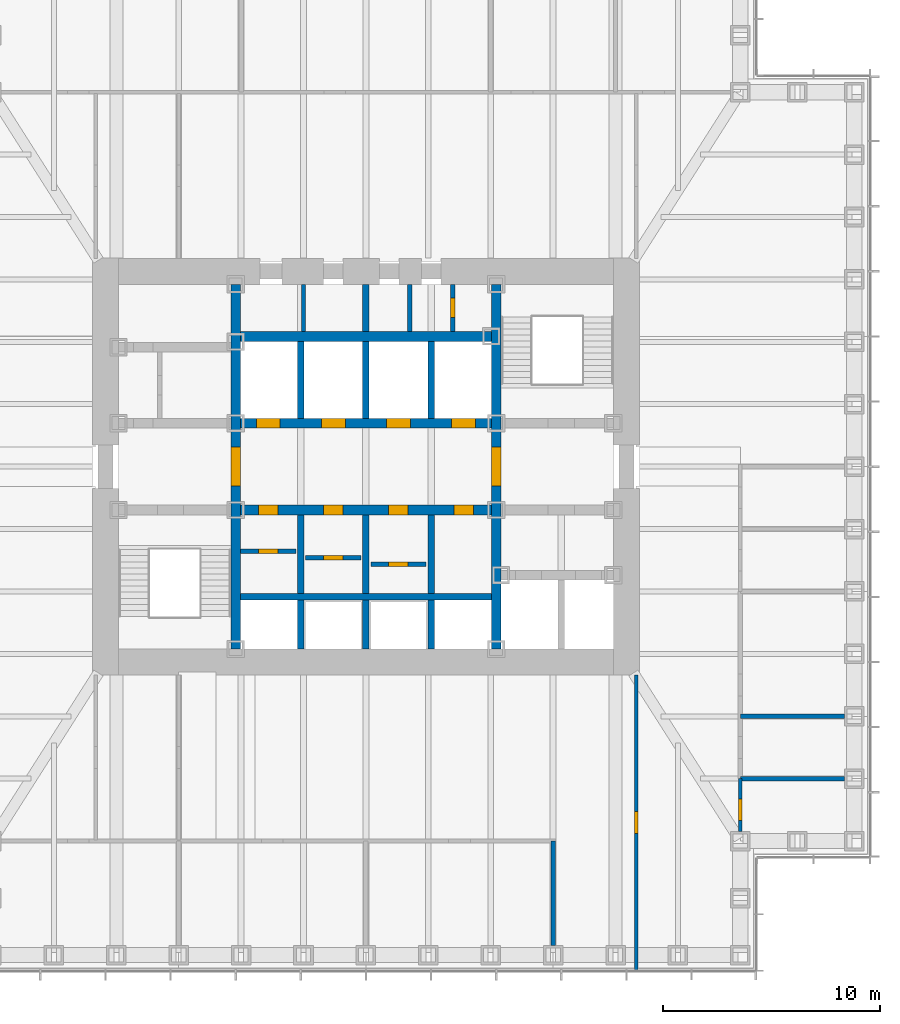
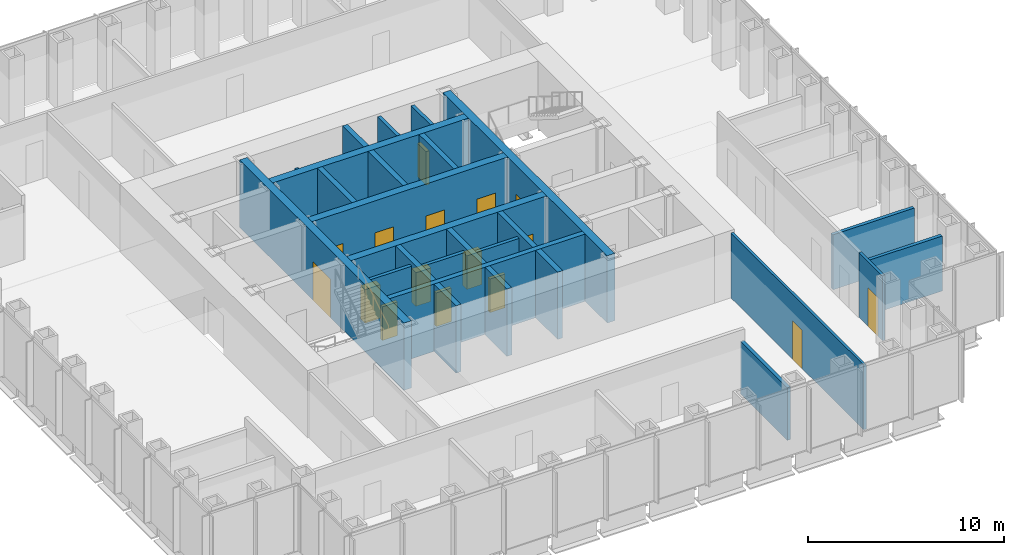
# One storey, part 9 of 17: 27 walls, 16 doors, 16 openings.
"""IFC4 building model written with IfcOpenShell, lengths in metres."""

from ifc_helpers import new_model, si_unit, direction, frame, frame_2d, origin, place, context, subcontext, project, spatial, rectangle, extrude, material, layer, layer_set, type_object, element, fill, save


model = new_model("IFC4")

# Units and contexts
model_context = context("Model", 3, precision=1e-05, world=origin(), true_north=direction((0.0, 1.0)))
body_context = subcontext(model_context, "Body", "Model", "MODEL_VIEW")
ifc_project = project(units=[si_unit("LENGTHUNIT", "METRE"), si_unit("AREAUNIT", "SQUARE_METRE"), si_unit("VOLUMEUNIT", "CUBIC_METRE"), si_unit("PLANEANGLEUNIT", "RADIAN"), si_unit("MASSUNIT", "GRAM", prefix="KILO")], contexts=[model_context])

# Site, building, storey
site_placement = place(None, origin())
site = spatial("IfcSite", under=ifc_project, at=site_placement, CompositionType="ELEMENT")
building_placement = place(site_placement, origin())
building = spatial("IfcBuilding", under=site, at=building_placement, Name="Daluyong Arena Tower", CompositionType="ELEMENT")
storey_placement = place(building_placement, frame((0.0, 0.0, 166.89990234375)))
storey = spatial("IfcBuildingStorey", under=building, at=storey_placement, Name="L37", CompositionType="ELEMENT", Elevation=166.89990234375)

# Wall, opening, door
ifc_material_1 = material(Name="Concrete fc' 45 MPa", Category="concrete")
ifc_layer_1 = layer(ifc_material_1, 0.449951171875)
ifc_layer_set_1 = layer_set([ifc_layer_1], Name="Concrete fc' 45 MPa")
wall_type_1 = type_object("IfcWallType", Name="Core inner wall 450", PredefinedType="SHEAR", material=ifc_layer_set_1)
wall_1_placement = place(storey_placement, frame((50.0, 71.60009765625, 0.0), z_axis=(0.0, 0.0, 1.0), x_axis=(0.0, 1.0, 0.0)))
wall_1 = element("IfcWall", 1, at=wall_1_placement, inside=storey, type_object=wall_type_1, Name="core inner wall at L37", PredefinedType="SHEAR", context=body_context, shape_type="SweptSolid", body=[
    extrude(rectangle(XDim=16.7998046875, YDim=0.449951171875, at=frame_2d((8.39990234375, 0.0))), origin(), (0.0, 0.0, 1.0), 4.2001953125),
])
opening_1_placement = place(wall_1_placement, frame((7.5, 0.0, 0.0)))
opening_1 = element("IfcOpeningElement", 2, at=opening_1_placement, cuts=wall_1, Name="Opening 37020", PredefinedType="OPENING", context=body_context, shape_type="SweptSolid", body=[
    extrude(rectangle(XDim=1.800048828125, YDim=2.39990234375, at=frame_2d((0.89990234375, 1.199951171875))), frame((0.0, 0.23486328125, 0.0), z_axis=(0.0, -1.0, 0.0), x_axis=(1.0, 0.0, 0.0)), (0.0, 0.0, 1.0), 0.469970703125),
])
ifc_material_2 = material(Name="Steel door, fire rated", Category="steel")
door_type_1 = type_object("IfcDoorType", Name="Lift lobby opening door 1800", OperationType="DOUBLE_DOOR_SINGLE_SWING", PredefinedType="DOOR", material=ifc_material_2)
door_1_placement = place(opening_1_placement, origin())
door_1 = element("IfcDoor", 3, at=door_1_placement, inside=storey, type_object=door_type_1, Name="lift lobby door west 37020", OperationType="DOUBLE_DOOR_SINGLE_SWING", OverallHeight=2.39990234375, OverallWidth=1.800048828125, PredefinedType="DOOR", context=body_context, shape_type="SweptSolid", body=[
    extrude(rectangle(XDim=1.800048828125, YDim=2.39990234375, at=frame_2d((0.89990234375, 1.199951171875))), frame((0.0, 0.224609375, 0.0), z_axis=(0.0, -1.0, 0.0), x_axis=(1.0, 0.0, 0.0)), (0.0, 0.0, 1.0), 0.449462890625),
])
fill(opening_1, door_1)

wall_2_placement = place(storey_placement, frame((62.0, 71.60009765625, 0.0), z_axis=(0.0, 0.0, 1.0), x_axis=(0.0, 1.0, 0.0)))
wall_2 = element("IfcWall", 4, at=wall_2_placement, inside=storey, type_object=wall_type_1, Name="core inner wall at L37", PredefinedType="SHEAR", context=body_context, shape_type="SweptSolid", body=[
    extrude(rectangle(XDim=16.7998046875, YDim=0.449951171875, at=frame_2d((8.39990234375, 0.0))), origin(), (0.0, 0.0, 1.0), 4.2001953125),
])
opening_2_placement = place(wall_2_placement, frame((7.5, 0.0, 0.0)))
opening_2 = element("IfcOpeningElement", 5, at=opening_2_placement, cuts=wall_2, Name="Opening 37021", PredefinedType="OPENING", context=body_context, shape_type="SweptSolid", body=[
    extrude(rectangle(XDim=1.800048828125, YDim=2.39990234375, at=frame_2d((0.89990234375, 1.199951171875))), frame((0.0, 0.23486328125, 0.0), z_axis=(0.0, -1.0, 0.0), x_axis=(1.0, 0.0, 0.0)), (0.0, 0.0, 1.0), 0.469970703125),
])
door_2_placement = place(opening_2_placement, origin())
door_2 = element("IfcDoor", 6, at=door_2_placement, inside=storey, type_object=door_type_1, Name="lift lobby door east 37021", OperationType="DOUBLE_DOOR_SINGLE_SWING", OverallHeight=2.39990234375, OverallWidth=1.800048828125, PredefinedType="DOOR", context=body_context, shape_type="SweptSolid", body=[
    extrude(rectangle(XDim=1.800048828125, YDim=2.39990234375, at=frame_2d((0.89990234375, 1.199951171875))), frame((0.0, 0.224609375, 0.0), z_axis=(0.0, -1.0, 0.0), x_axis=(1.0, 0.0, 0.0)), (0.0, 0.0, 1.0), 0.449462890625),
])
fill(opening_2, door_2)

# Wall, openings, doors
wall_3_placement = place(storey_placement, frame((50.22509765625, 78.0, 0.0), z_axis=(0.0, 0.0, 1.0), x_axis=(1.0, 0.0, 0.0)))
wall_3 = element("IfcWall", 7, at=wall_3_placement, inside=storey, type_object=wall_type_1, Name="core inner wall at L37", PredefinedType="SHEAR", context=body_context, shape_type="SweptSolid", body=[
    extrude(rectangle(XDim=11.5498046875, YDim=0.449951171875, at=frame_2d((5.77490234375, 0.0))), origin(), (0.0, 0.0, 1.0), 4.2001953125),
])
opening_3_placement = place(wall_3_placement, frame((0.824951171875, 0.0, 0.0)))
opening_3 = element("IfcOpeningElement", 8, at=opening_3_placement, cuts=wall_3, Name="Opening 37009", PredefinedType="OPENING", context=body_context, shape_type="SweptSolid", body=[
    extrude(rectangle(XDim=0.89990234375, YDim=2.10009765625, at=frame_2d((0.449951171875, 1.050048828125))), frame((0.0, 0.23486328125, 0.0), z_axis=(0.0, -1.0, 0.0), x_axis=(1.0, 0.0, 0.0)), (0.0, 0.0, 1.0), 0.469970703125),
])
opening_4_placement = place(wall_3_placement, frame((3.824951171875, 0.0, 0.0)))
opening_4 = element("IfcOpeningElement", 9, at=opening_4_placement, cuts=wall_3, Name="Opening 37011", PredefinedType="OPENING", context=body_context, shape_type="SweptSolid", body=[
    extrude(rectangle(XDim=0.89990234375, YDim=2.10009765625, at=frame_2d((0.449951171875, 1.050048828125))), frame((0.0, 0.23486328125, 0.0), z_axis=(0.0, -1.0, 0.0), x_axis=(1.0, 0.0, 0.0)), (0.0, 0.0, 1.0), 0.469970703125),
])
opening_5_placement = place(wall_3_placement, frame((6.824951171875, 0.0, 0.0)))
opening_5 = element("IfcOpeningElement", 10, at=opening_5_placement, cuts=wall_3, Name="Opening 37013", PredefinedType="OPENING", context=body_context, shape_type="SweptSolid", body=[
    extrude(rectangle(XDim=0.89990234375, YDim=2.10009765625, at=frame_2d((0.449951171875, 1.050048828125))), frame((0.0, 0.23486328125, 0.0), z_axis=(0.0, -1.0, 0.0), x_axis=(1.0, 0.0, 0.0)), (0.0, 0.0, 1.0), 0.469970703125),
])
opening_6_placement = place(wall_3_placement, frame((9.824951171875, 0.0, 0.0)))
opening_6 = element("IfcOpeningElement", 11, at=opening_6_placement, cuts=wall_3, Name="Opening 37015", PredefinedType="OPENING", context=body_context, shape_type="SweptSolid", body=[
    extrude(rectangle(XDim=0.89990234375, YDim=2.10009765625, at=frame_2d((0.449951171875, 1.050048828125))), frame((0.0, 0.23486328125, 0.0), z_axis=(0.0, -1.0, 0.0), x_axis=(1.0, 0.0, 0.0)), (0.0, 0.0, 1.0), 0.469970703125),
])
ifc_material_3 = material(Name="Steel door, fire rated", Category="steel")
door_type_2 = type_object("IfcDoorType", Name="Core room door 900", OperationType="SINGLE_SWING_LEFT", PredefinedType="DOOR", material=ifc_material_3)
door_3_placement = place(opening_6_placement, origin())
door_3 = element("IfcDoor", 12, at=door_3_placement, inside=storey, type_object=door_type_2, Name="parcel room door 37015", OperationType="SINGLE_SWING_LEFT", OverallHeight=2.10009765625, OverallWidth=0.89990234375, PredefinedType="DOOR", context=body_context, shape_type="SweptSolid", body=[
    extrude(rectangle(XDim=0.89990234375, YDim=2.10009765625, at=frame_2d((0.449951171875, 1.050048828125))), frame((0.0, 0.224609375, 0.0), z_axis=(0.0, -1.0, 0.0), x_axis=(1.0, 0.0, 0.0)), (0.0, 0.0, 1.0), 0.449462890625),
])
fill(opening_6, door_3)
ifc_material_4 = material(Name="Steel door, fire rated", Category="steel")
door_type_3 = type_object("IfcDoorType", Name="Core store door 900", OperationType="SINGLE_SWING_LEFT", PredefinedType="DOOR", material=ifc_material_4)
door_4_placement = place(opening_3_placement, origin())
door_4 = element("IfcDoor", 13, at=door_4_placement, inside=storey, type_object=door_type_3, Name="stationery store door 37009", OperationType="SINGLE_SWING_LEFT", OverallHeight=2.10009765625, OverallWidth=0.89990234375, PredefinedType="DOOR", context=body_context, shape_type="SweptSolid", body=[
    extrude(rectangle(XDim=0.89990234375, YDim=2.10009765625, at=frame_2d((0.449951171875, 1.050048828125))), frame((0.0, 0.224609375, 0.0), z_axis=(0.0, -1.0, 0.0), x_axis=(1.0, 0.0, 0.0)), (0.0, 0.0, 1.0), 0.449462890625),
])
fill(opening_3, door_4)
door_5_placement = place(opening_4_placement, origin())
door_5 = element("IfcDoor", 14, at=door_5_placement, inside=storey, type_object=door_type_3, Name="security store door 37011", OperationType="SINGLE_SWING_LEFT", OverallHeight=2.10009765625, OverallWidth=0.89990234375, PredefinedType="DOOR", context=body_context, shape_type="SweptSolid", body=[
    extrude(rectangle(XDim=0.89990234375, YDim=2.10009765625, at=frame_2d((0.449951171875, 1.050048828125))), frame((0.0, 0.224609375, 0.0), z_axis=(0.0, -1.0, 0.0), x_axis=(1.0, 0.0, 0.0)), (0.0, 0.0, 1.0), 0.449462890625),
])
fill(opening_4, door_5)
door_6_placement = place(opening_5_placement, origin())
door_6 = element("IfcDoor", 15, at=door_6_placement, inside=storey, type_object=door_type_3, Name="furniture store door 37013", OperationType="SINGLE_SWING_LEFT", OverallHeight=2.10009765625, OverallWidth=0.89990234375, PredefinedType="DOOR", context=body_context, shape_type="SweptSolid", body=[
    extrude(rectangle(XDim=0.89990234375, YDim=2.10009765625, at=frame_2d((0.449951171875, 1.050048828125))), frame((0.0, 0.224609375, 0.0), z_axis=(0.0, -1.0, 0.0), x_axis=(1.0, 0.0, 0.0)), (0.0, 0.0, 1.0), 0.449462890625),
])
fill(opening_5, door_6)

wall_4_placement = place(storey_placement, frame((50.22509765625, 82.0, 0.0), z_axis=(0.0, 0.0, 1.0), x_axis=(1.0, 0.0, 0.0)))
wall_4 = element("IfcWall", 16, at=wall_4_placement, inside=storey, type_object=wall_type_1, Name="core inner wall at L37", PredefinedType="SHEAR", context=body_context, shape_type="SweptSolid", body=[
    extrude(rectangle(XDim=11.5498046875, YDim=0.449951171875, at=frame_2d((5.77490234375, 0.0))), origin(), (0.0, 0.0, 1.0), 4.2001953125),
])
opening_7_placement = place(wall_4_placement, frame((0.72509765625, 0.0, 0.0)))
opening_7 = element("IfcOpeningElement", 17, at=opening_7_placement, cuts=wall_4, Name="Opening 37023", PredefinedType="OPENING", context=body_context, shape_type="SweptSolid", body=[
    extrude(rectangle(XDim=1.10009765625, YDim=2.199951171875, at=frame_2d((0.550048828125, 1.10009765625))), frame((0.0, 0.23486328125, 0.0), z_axis=(0.0, -1.0, 0.0), x_axis=(1.0, 0.0, 0.0)), (0.0, 0.0, 1.0), 0.469970703125),
])
opening_8_placement = place(wall_4_placement, frame((3.72509765625, 0.0, 0.0)))
opening_8 = element("IfcOpeningElement", 18, at=opening_8_placement, cuts=wall_4, Name="Opening 37024", PredefinedType="OPENING", context=body_context, shape_type="SweptSolid", body=[
    extrude(rectangle(XDim=1.10009765625, YDim=2.199951171875, at=frame_2d((0.550048828125, 1.10009765625))), frame((0.0, 0.23486328125, 0.0), z_axis=(0.0, -1.0, 0.0), x_axis=(1.0, 0.0, 0.0)), (0.0, 0.0, 1.0), 0.469970703125),
])
opening_9_placement = place(wall_4_placement, frame((6.72509765625, 0.0, 0.0)))
opening_9 = element("IfcOpeningElement", 19, at=opening_9_placement, cuts=wall_4, Name="Opening 37025", PredefinedType="OPENING", context=body_context, shape_type="SweptSolid", body=[
    extrude(rectangle(XDim=1.10009765625, YDim=2.199951171875, at=frame_2d((0.550048828125, 1.10009765625))), frame((0.0, 0.23486328125, 0.0), z_axis=(0.0, -1.0, 0.0), x_axis=(1.0, 0.0, 0.0)), (0.0, 0.0, 1.0), 0.469970703125),
])
opening_10_placement = place(wall_4_placement, frame((9.72509765625, 0.0, 0.0)))
opening_10 = element("IfcOpeningElement", 20, at=opening_10_placement, cuts=wall_4, Name="Opening 37026", PredefinedType="OPENING", context=body_context, shape_type="SweptSolid", body=[
    extrude(rectangle(XDim=1.10009765625, YDim=2.199951171875, at=frame_2d((0.550048828125, 1.10009765625))), frame((0.0, 0.23486328125, 0.0), z_axis=(0.0, -1.0, 0.0), x_axis=(1.0, 0.0, 0.0)), (0.0, 0.0, 1.0), 0.469970703125),
])
ifc_material_5 = material(Name="Steel door, fire rated", Category="steel")
door_type_4 = type_object("IfcDoorType", Name="Lift landing door 1100", OperationType="SLIDING_TO_LEFT", PredefinedType="DOOR", material=ifc_material_5)
door_7_placement = place(opening_7_placement, origin())
door_7 = element("IfcDoor", 21, at=door_7_placement, inside=storey, type_object=door_type_4, Name="lift landing door B1 37023", OperationType="SLIDING_TO_LEFT", OverallHeight=2.199951171875, OverallWidth=1.10009765625, PredefinedType="DOOR", context=body_context, shape_type="SweptSolid", body=[
    extrude(rectangle(XDim=1.10009765625, YDim=2.199951171875, at=frame_2d((0.550048828125, 1.10009765625))), frame((0.0, 0.224609375, 0.0), z_axis=(0.0, -1.0, 0.0), x_axis=(1.0, 0.0, 0.0)), (0.0, 0.0, 1.0), 0.449462890625),
])
fill(opening_7, door_7)
door_8_placement = place(opening_8_placement, origin())
door_8 = element("IfcDoor", 22, at=door_8_placement, inside=storey, type_object=door_type_4, Name="lift landing door B2 37024", OperationType="SLIDING_TO_LEFT", OverallHeight=2.199951171875, OverallWidth=1.10009765625, PredefinedType="DOOR", context=body_context, shape_type="SweptSolid", body=[
    extrude(rectangle(XDim=1.10009765625, YDim=2.199951171875, at=frame_2d((0.550048828125, 1.10009765625))), frame((0.0, 0.224609375, 0.0), z_axis=(0.0, -1.0, 0.0), x_axis=(1.0, 0.0, 0.0)), (0.0, 0.0, 1.0), 0.449462890625),
])
fill(opening_8, door_8)
door_9_placement = place(opening_9_placement, origin())
door_9 = element("IfcDoor", 23, at=door_9_placement, inside=storey, type_object=door_type_4, Name="lift landing door B3 37025", OperationType="SLIDING_TO_LEFT", OverallHeight=2.199951171875, OverallWidth=1.10009765625, PredefinedType="DOOR", context=body_context, shape_type="SweptSolid", body=[
    extrude(rectangle(XDim=1.10009765625, YDim=2.199951171875, at=frame_2d((0.550048828125, 1.10009765625))), frame((0.0, 0.224609375, 0.0), z_axis=(0.0, -1.0, 0.0), x_axis=(1.0, 0.0, 0.0)), (0.0, 0.0, 1.0), 0.449462890625),
])
fill(opening_9, door_9)
door_10_placement = place(opening_10_placement, origin())
door_10 = element("IfcDoor", 24, at=door_10_placement, inside=storey, type_object=door_type_4, Name="lift landing door B4 37026", OperationType="SLIDING_TO_LEFT", OverallHeight=2.199951171875, OverallWidth=1.10009765625, PredefinedType="DOOR", context=body_context, shape_type="SweptSolid", body=[
    extrude(rectangle(XDim=1.10009765625, YDim=2.199951171875, at=frame_2d((0.550048828125, 1.10009765625))), frame((0.0, 0.224609375, 0.0), z_axis=(0.0, -1.0, 0.0), x_axis=(1.0, 0.0, 0.0)), (0.0, 0.0, 1.0), 0.449462890625),
])
fill(opening_10, door_10)

# Walls
wall_5_placement = place(storey_placement, frame((50.22509765625, 86.0, 0.0), z_axis=(0.0, 0.0, 1.0), x_axis=(1.0, 0.0, 0.0)))
element("IfcWall", 25, at=wall_5_placement, inside=storey, type_object=wall_type_1, Name="core inner wall at L37", PredefinedType="SHEAR", context=body_context, shape_type="SweptSolid", body=[
    extrude(rectangle(XDim=11.5498046875, YDim=0.449951171875, at=frame_2d((5.77490234375, 0.0))), origin(), (0.0, 0.0, 1.0), 4.2001953125),
])
ifc_material_6 = material(Name="Concrete block partition, fire rated", Category="concrete")
ifc_layer_2 = layer(ifc_material_6, 0.199951171875)
ifc_layer_set_2 = layer_set([ifc_layer_2], Name="Concrete block partition, fire rated")
wall_type_2 = type_object("IfcWallType", Name="Fire-rated partition 200", PredefinedType="PARTITIONING", material=ifc_layer_set_2)
wall_6_placement = place(storey_placement, frame((53.125, 86.22509765625, 0.0), z_axis=(0.0, 0.0, 1.0), x_axis=(0.0, 1.0, 0.0)))
element("IfcWall", 26, at=wall_6_placement, inside=storey, type_object=wall_type_2, Name="core room partition at L37", PredefinedType="PARTITIONING", context=body_context, shape_type="SweptSolid", body=[
    extrude(rectangle(XDim=2.1748046875, YDim=0.199951171875, at=frame_2d((1.08740234375, 0.0))), origin(), (0.0, 0.0, 1.0), 2.5400390625),
])

# Wall, opening, door
wall_7_placement = place(storey_placement, frame((60.0, 86.22509765625, 0.0), z_axis=(0.0, 0.0, 1.0), x_axis=(0.0, 1.0, 0.0)))
wall_7 = element("IfcWall", 27, at=wall_7_placement, inside=storey, type_object=wall_type_2, Name="electrical riser enclosure at L37", PredefinedType="PARTITIONING", context=body_context, shape_type="SweptSolid", body=[
    extrude(rectangle(XDim=2.1748046875, YDim=0.199951171875, at=frame_2d((1.08740234375, 0.0))), origin(), (0.0, 0.0, 1.0), 4.0400390625),
])
opening_11_placement = place(wall_7_placement, frame((0.637451171875, 0.0, 0.0)))
opening_11 = element("IfcOpeningElement", 28, at=opening_11_placement, cuts=wall_7, Name="Opening 37008", PredefinedType="OPENING", context=body_context, shape_type="SweptSolid", body=[
    extrude(rectangle(XDim=0.89990234375, YDim=2.10009765625, at=frame_2d((0.449951171875, 1.050048828125))), frame((0.0, 0.10986328125, 0.0), z_axis=(0.0, -1.0, 0.0), x_axis=(1.0, 0.0, 0.0)), (0.0, 0.0, 1.0), 0.219970703125),
])
ifc_material_7 = material(Name="Steel door, fire rated", Category="steel")
door_type_5 = type_object("IfcDoorType", Name="Riser door 900", OperationType="SINGLE_SWING_LEFT", PredefinedType="DOOR", material=ifc_material_7)
door_11_placement = place(opening_11_placement, origin())
door_11 = element("IfcDoor", 29, at=door_11_placement, inside=storey, type_object=door_type_5, Name="riser door 37008", OperationType="SINGLE_SWING_LEFT", OverallHeight=2.10009765625, OverallWidth=0.89990234375, PredefinedType="DOOR", context=body_context, shape_type="SweptSolid", body=[
    extrude(rectangle(XDim=0.89990234375, YDim=2.10009765625, at=frame_2d((0.449951171875, 1.050048828125))), frame((0.0, 0.099609375, 0.0), z_axis=(0.0, -1.0, 0.0), x_axis=(1.0, 0.0, 0.0)), (0.0, 0.0, 1.0), 0.199462890625),
])
fill(opening_11, door_11)

# Wall
wall_8_placement = place(storey_placement, frame((58.02490234375, 86.22509765625, 0.0), z_axis=(0.0, 0.0, 1.0), x_axis=(0.0, 1.0, 0.0)))
element("IfcWall", 30, at=wall_8_placement, inside=storey, type_object=wall_type_2, Name="core room partition at L37", PredefinedType="PARTITIONING", context=body_context, shape_type="SweptSolid", body=[
    extrude(rectangle(XDim=2.1748046875, YDim=0.199951171875, at=frame_2d((1.08740234375, 0.0))), origin(), (0.0, 0.0, 1.0), 4.0400390625),
])

# Wall, opening, door
wall_9_placement = place(storey_placement, frame((50.22509765625, 76.10009765625, 0.0), z_axis=(0.0, 0.0, 1.0), x_axis=(1.0, 0.0, 0.0)))
wall_9 = element("IfcWall", 31, at=wall_9_placement, inside=storey, type_object=wall_type_2, Name="back store partition at L37", PredefinedType="PARTITIONING", context=body_context, shape_type="SweptSolid", body=[
    extrude(rectangle(XDim=2.5498046875, YDim=0.199951171875, at=frame_2d((1.27490234375, 0.0))), origin(), (0.0, 0.0, 1.0), 4.0400390625),
])
opening_12_placement = place(wall_9_placement, frame((0.824951171875, 0.0, 0.0)))
opening_12 = element("IfcOpeningElement", 32, at=opening_12_placement, cuts=wall_9, Name="Opening 37010", PredefinedType="OPENING", context=body_context, shape_type="SweptSolid", body=[
    extrude(rectangle(XDim=0.89990234375, YDim=2.10009765625, at=frame_2d((0.449951171875, 1.050048828125))), frame((0.0, 0.10986328125, 0.0), z_axis=(0.0, -1.0, 0.0), x_axis=(1.0, 0.0, 0.0)), (0.0, 0.0, 1.0), 0.219970703125),
])
door_12_placement = place(opening_12_placement, origin())
door_12 = element("IfcDoor", 33, at=door_12_placement, inside=storey, type_object=door_type_3, Name="cleaner's store door 37010", OperationType="SINGLE_SWING_LEFT", OverallHeight=2.10009765625, OverallWidth=0.89990234375, PredefinedType="DOOR", context=body_context, shape_type="SweptSolid", body=[
    extrude(rectangle(XDim=0.89990234375, YDim=2.10009765625, at=frame_2d((0.449951171875, 1.050048828125))), frame((0.0, 0.099609375, 0.0), z_axis=(0.0, -1.0, 0.0), x_axis=(1.0, 0.0, 0.0)), (0.0, 0.0, 1.0), 0.199462890625),
])
fill(opening_12, door_12)

wall_10_placement = place(storey_placement, frame((53.22509765625, 75.800048828125, 0.0), z_axis=(0.0, 0.0, 1.0), x_axis=(1.0, 0.0, 0.0)))
wall_10 = element("IfcWall", 34, at=wall_10_placement, inside=storey, type_object=wall_type_2, Name="back store partition at L37", PredefinedType="PARTITIONING", context=body_context, shape_type="SweptSolid", body=[
    extrude(rectangle(XDim=2.5498046875, YDim=0.199951171875, at=frame_2d((1.27490234375, 0.0))), origin(), (0.0, 0.0, 1.0), 4.0400390625),
])
opening_13_placement = place(wall_10_placement, frame((0.824951171875, 0.0, 0.0)))
opening_13 = element("IfcOpeningElement", 35, at=opening_13_placement, cuts=wall_10, Name="Opening 37012", PredefinedType="OPENING", context=body_context, shape_type="SweptSolid", body=[
    extrude(rectangle(XDim=0.89990234375, YDim=2.10009765625, at=frame_2d((0.449951171875, 1.050048828125))), frame((0.0, 0.10986328125, 0.0), z_axis=(0.0, -1.0, 0.0), x_axis=(1.0, 0.0, 0.0)), (0.0, 0.0, 1.0), 0.219970703125),
])
door_13_placement = place(opening_13_placement, origin())
door_13 = element("IfcDoor", 36, at=door_13_placement, inside=storey, type_object=door_type_3, Name="tenant store door 37012", OperationType="SINGLE_SWING_LEFT", OverallHeight=2.10009765625, OverallWidth=0.89990234375, PredefinedType="DOOR", context=body_context, shape_type="SweptSolid", body=[
    extrude(rectangle(XDim=0.89990234375, YDim=2.10009765625, at=frame_2d((0.449951171875, 1.050048828125))), frame((0.0, 0.099609375, 0.0), z_axis=(0.0, -1.0, 0.0), x_axis=(1.0, 0.0, 0.0)), (0.0, 0.0, 1.0), 0.199462890625),
])
fill(opening_13, door_13)

wall_11_placement = place(storey_placement, frame((56.22509765625, 75.5, 0.0), z_axis=(0.0, 0.0, 1.0), x_axis=(1.0, 0.0, 0.0)))
wall_11 = element("IfcWall", 37, at=wall_11_placement, inside=storey, type_object=wall_type_2, Name="back store partition at L37", PredefinedType="PARTITIONING", context=body_context, shape_type="SweptSolid", body=[
    extrude(rectangle(XDim=2.5498046875, YDim=0.199951171875, at=frame_2d((1.27490234375, 0.0))), origin(), (0.0, 0.0, 1.0), 4.0400390625),
])
opening_14_placement = place(wall_11_placement, frame((0.824951171875, 0.0, 0.0)))
opening_14 = element("IfcOpeningElement", 38, at=opening_14_placement, cuts=wall_11, Name="Opening 37014", PredefinedType="OPENING", context=body_context, shape_type="SweptSolid", body=[
    extrude(rectangle(XDim=0.89990234375, YDim=2.10009765625, at=frame_2d((0.449951171875, 1.050048828125))), frame((0.0, 0.10986328125, 0.0), z_axis=(0.0, -1.0, 0.0), x_axis=(1.0, 0.0, 0.0)), (0.0, 0.0, 1.0), 0.219970703125),
])
door_14_placement = place(opening_14_placement, origin())
door_14 = element("IfcDoor", 39, at=door_14_placement, inside=storey, type_object=door_type_3, Name="archive store door 37014", OperationType="SINGLE_SWING_LEFT", OverallHeight=2.10009765625, OverallWidth=0.89990234375, PredefinedType="DOOR", context=body_context, shape_type="SweptSolid", body=[
    extrude(rectangle(XDim=0.89990234375, YDim=2.10009765625, at=frame_2d((0.449951171875, 1.050048828125))), frame((0.0, 0.099609375, 0.0), z_axis=(0.0, -1.0, 0.0), x_axis=(1.0, 0.0, 0.0)), (0.0, 0.0, 1.0), 0.199462890625),
])
fill(opening_14, door_14)

ifc_material_8 = material(Name="Glazed aluminium partition", Category="aluminium")
ifc_layer_3 = layer(ifc_material_8, 0.14990234375)
ifc_layer_set_3 = layer_set([ifc_layer_3], Name="Glazed aluminium partition")
wall_type_3 = type_object("IfcWallType", Name="Glazed partition 150", PredefinedType="PARTITIONING", material=ifc_layer_set_3)
wall_12_placement = place(storey_placement, frame((68.449951171875, 56.81005859375, 0.0), z_axis=(0.0, 0.0, 1.0), x_axis=(0.0, 1.0, 0.0)))
wall_12 = element("IfcWall", 40, at=wall_12_placement, inside=storey, type_object=wall_type_3, Name="glazed partition at L37", PredefinedType="PARTITIONING", context=body_context, shape_type="SweptSolid", body=[
    extrude(rectangle(XDim=13.58984375, YDim=0.14990234375, at=frame_2d((6.794921875, 0.0))), origin(), (0.0, 0.0, 1.0), 4.0400390625),
])
opening_15_placement = place(wall_12_placement, frame((6.294921875, 0.0, 0.0)))
opening_15 = element("IfcOpeningElement", 41, at=opening_15_placement, cuts=wall_12, Name="Opening 37045", PredefinedType="OPENING", context=body_context, shape_type="SweptSolid", body=[
    extrude(rectangle(XDim=1.0, YDim=2.39990234375, at=frame_2d((0.5, 1.199951171875))), frame((0.0, 0.0849609375, 0.0), z_axis=(0.0, -1.0, 0.0), x_axis=(1.0, 0.0, 0.0)), (0.0, 0.0, 1.0), 0.169921875),
])
ifc_material_9 = material(Name="Glazed aluminium door", Category="aluminium")
door_type_6 = type_object("IfcDoorType", Name="Meeting room glazed door 1000", OperationType="SINGLE_SWING_RIGHT", PredefinedType="DOOR", material=ifc_material_9)
door_15_placement = place(opening_15_placement, origin())
door_15 = element("IfcDoor", 42, at=door_15_placement, inside=storey, type_object=door_type_6, Name="team area screen door 37045", OperationType="SINGLE_SWING_RIGHT", OverallHeight=2.39990234375, OverallWidth=1.0, PredefinedType="DOOR", context=body_context, shape_type="SweptSolid", body=[
    extrude(rectangle(XDim=1.0, YDim=2.39990234375, at=frame_2d((0.5, 1.199951171875))), frame((0.0, 0.07470703125, 0.0), z_axis=(0.0, -1.0, 0.0), x_axis=(1.0, 0.0, 0.0)), (0.0, 0.0, 1.0), 0.1494140625),
])
fill(opening_15, door_15)

wall_13_placement = place(storey_placement, frame((73.25, 63.199951171875, 0.0), z_axis=(0.0, 0.0, 1.0), x_axis=(0.0, 1.0, 0.0)))
wall_13 = element("IfcWall", 43, at=wall_13_placement, inside=storey, type_object=wall_type_3, Name="glazed partition at L37", PredefinedType="PARTITIONING", context=body_context, shape_type="SweptSolid", body=[
    extrude(rectangle(XDim=2.425048828125, YDim=0.14990234375, at=frame_2d((1.21240234375, 0.0))), origin(), (0.0, 0.0, 1.0), 4.0400390625),
])
opening_16_placement = place(wall_13_placement, frame((0.487548828125, 0.0, 0.0)))
opening_16 = element("IfcOpeningElement", 44, at=opening_16_placement, cuts=wall_13, Name="Opening 37032", PredefinedType="OPENING", context=body_context, shape_type="SweptSolid", body=[
    extrude(rectangle(XDim=1.0, YDim=2.39990234375, at=frame_2d((0.5, 1.199951171875))), frame((0.0, 0.0849609375, 0.0), z_axis=(0.0, -1.0, 0.0), x_axis=(1.0, 0.0, 0.0)), (0.0, 0.0, 1.0), 0.169921875),
])
door_16_placement = place(opening_16_placement, origin())
door_16 = element("IfcDoor", 45, at=door_16_placement, inside=storey, type_object=door_type_6, Name="meeting room door 37032", OperationType="SINGLE_SWING_RIGHT", OverallHeight=2.39990234375, OverallWidth=1.0, PredefinedType="DOOR", context=body_context, shape_type="SweptSolid", body=[
    extrude(rectangle(XDim=1.0, YDim=2.39990234375, at=frame_2d((0.5, 1.199951171875))), frame((0.0, 0.07470703125, 0.0), z_axis=(0.0, -1.0, 0.0), x_axis=(1.0, 0.0, 0.0)), (0.0, 0.0, 1.0), 0.1494140625),
])
fill(opening_16, door_16)

# Walls
ifc_material_10 = material(Name="Concrete fc' 45 MPa", Category="concrete")
ifc_layer_4 = layer(ifc_material_10, 0.300048828125)
ifc_layer_set_4 = layer_set([ifc_layer_4], Name="Concrete fc' 45 MPa")
wall_type_4 = type_object("IfcWallType", Name="Lift shaft wall 300", PredefinedType="SHEAR", material=ifc_layer_set_4)
wall_14_placement = place(storey_placement, frame((50.22509765625, 74.0, 0.0), z_axis=(0.0, 0.0, 1.0), x_axis=(1.0, 0.0, 0.0)))
element("IfcWall", 46, at=wall_14_placement, inside=storey, type_object=wall_type_4, Name="lift shaft wall at L37", PredefinedType="SHEAR", context=body_context, shape_type="SweptSolid", body=[
    extrude(rectangle(XDim=11.5498046875, YDim=0.300048828125, at=frame_2d((5.77490234375, 0.0))), origin(), (0.0, 0.0, 1.0), 4.2001953125),
])
wall_15_placement = place(storey_placement, frame((53.0, 71.60009765625, 0.0), z_axis=(0.0, 0.0, 1.0), x_axis=(0.0, 1.0, 0.0)))
element("IfcWall", 47, at=wall_15_placement, inside=storey, type_object=wall_type_4, Name="lift shaft wall at L37", PredefinedType="SHEAR", context=body_context, shape_type="SweptSolid", body=[
    extrude(rectangle(XDim=2.25, YDim=0.300048828125, at=frame_2d((1.125, 0.0))), origin(), (0.0, 0.0, 1.0), 4.2001953125),
])
wall_16_placement = place(storey_placement, frame((53.0, 74.14990234375, 0.0), z_axis=(0.0, 0.0, 1.0), x_axis=(0.0, 1.0, 0.0)))
element("IfcWall", 48, at=wall_16_placement, inside=storey, type_object=wall_type_4, Name="lift shaft wall at L37", PredefinedType="SHEAR", context=body_context, shape_type="SweptSolid", body=[
    extrude(rectangle(XDim=3.625, YDim=0.300048828125, at=frame_2d((1.8125, 0.0))), origin(), (0.0, 0.0, 1.0), 4.2001953125),
])
wall_17_placement = place(storey_placement, frame((53.0, 82.22509765625, 0.0), z_axis=(0.0, 0.0, 1.0), x_axis=(0.0, 1.0, 0.0)))
element("IfcWall", 49, at=wall_17_placement, inside=storey, type_object=wall_type_4, Name="lift shaft wall at L37", PredefinedType="SHEAR", context=body_context, shape_type="SweptSolid", body=[
    extrude(rectangle(XDim=3.5498046875, YDim=0.300048828125, at=frame_2d((1.77490234375, 0.0))), origin(), (0.0, 0.0, 1.0), 4.2001953125),
])
wall_18_placement = place(storey_placement, frame((56.0, 71.60009765625, 0.0), z_axis=(0.0, 0.0, 1.0), x_axis=(0.0, 1.0, 0.0)))
element("IfcWall", 50, at=wall_18_placement, inside=storey, type_object=wall_type_4, Name="lift shaft wall at L37", PredefinedType="SHEAR", context=body_context, shape_type="SweptSolid", body=[
    extrude(rectangle(XDim=2.25, YDim=0.300048828125, at=frame_2d((1.125, 0.0))), origin(), (0.0, 0.0, 1.0), 4.2001953125),
])
wall_19_placement = place(storey_placement, frame((56.0, 74.14990234375, 0.0), z_axis=(0.0, 0.0, 1.0), x_axis=(0.0, 1.0, 0.0)))
element("IfcWall", 51, at=wall_19_placement, inside=storey, type_object=wall_type_4, Name="lift shaft wall at L37", PredefinedType="SHEAR", context=body_context, shape_type="SweptSolid", body=[
    extrude(rectangle(XDim=3.625, YDim=0.300048828125, at=frame_2d((1.8125, 0.0))), origin(), (0.0, 0.0, 1.0), 4.2001953125),
])
wall_20_placement = place(storey_placement, frame((56.0, 82.22509765625, 0.0), z_axis=(0.0, 0.0, 1.0), x_axis=(0.0, 1.0, 0.0)))
element("IfcWall", 52, at=wall_20_placement, inside=storey, type_object=wall_type_4, Name="lift shaft wall at L37", PredefinedType="SHEAR", context=body_context, shape_type="SweptSolid", body=[
    extrude(rectangle(XDim=3.5498046875, YDim=0.300048828125, at=frame_2d((1.77490234375, 0.0))), origin(), (0.0, 0.0, 1.0), 4.2001953125),
])
wall_21_placement = place(storey_placement, frame((59.0, 71.60009765625, 0.0), z_axis=(0.0, 0.0, 1.0), x_axis=(0.0, 1.0, 0.0)))
element("IfcWall", 53, at=wall_21_placement, inside=storey, type_object=wall_type_4, Name="lift shaft wall at L37", PredefinedType="SHEAR", context=body_context, shape_type="SweptSolid", body=[
    extrude(rectangle(XDim=2.25, YDim=0.300048828125, at=frame_2d((1.125, 0.0))), origin(), (0.0, 0.0, 1.0), 4.2001953125),
])
wall_22_placement = place(storey_placement, frame((59.0, 74.14990234375, 0.0), z_axis=(0.0, 0.0, 1.0), x_axis=(0.0, 1.0, 0.0)))
element("IfcWall", 54, at=wall_22_placement, inside=storey, type_object=wall_type_4, Name="lift shaft wall at L37", PredefinedType="SHEAR", context=body_context, shape_type="SweptSolid", body=[
    extrude(rectangle(XDim=3.625, YDim=0.300048828125, at=frame_2d((1.8125, 0.0))), origin(), (0.0, 0.0, 1.0), 4.2001953125),
])
wall_23_placement = place(storey_placement, frame((59.0, 82.22509765625, 0.0), z_axis=(0.0, 0.0, 1.0), x_axis=(0.0, 1.0, 0.0)))
element("IfcWall", 55, at=wall_23_placement, inside=storey, type_object=wall_type_4, Name="lift shaft wall at L37", PredefinedType="SHEAR", context=body_context, shape_type="SweptSolid", body=[
    extrude(rectangle(XDim=3.5498046875, YDim=0.300048828125, at=frame_2d((1.77490234375, 0.0))), origin(), (0.0, 0.0, 1.0), 4.2001953125),
])
wall_24_placement = place(storey_placement, frame((56.0, 86.22509765625, 0.0), z_axis=(0.0, 0.0, 1.0), x_axis=(0.0, 1.0, 0.0)))
element("IfcWall", 56, at=wall_24_placement, inside=storey, type_object=wall_type_4, Name="lift shaft wall at L37", PredefinedType="SHEAR", context=body_context, shape_type="SweptSolid", body=[
    extrude(rectangle(XDim=2.1748046875, YDim=0.300048828125, at=frame_2d((1.08740234375, 0.0))), origin(), (0.0, 0.0, 1.0), 4.2001953125),
])
ifc_material_11 = material(Name="Concrete block partition", Category="concrete")
ifc_layer_5 = layer(ifc_material_11, 0.199951171875)
ifc_layer_set_5 = layer_set([ifc_layer_5], Name="Concrete block partition")
wall_type_5 = type_object("IfcWallType", Name="Partition 200", PredefinedType="PARTITIONING", material=ifc_layer_set_5)
wall_25_placement = place(storey_placement, frame((64.625, 57.949951171875, 0.0), z_axis=(0.0, 0.0, 1.0), x_axis=(0.0, 1.0, 0.0)))
element("IfcWall", 57, at=wall_25_placement, inside=storey, type_object=wall_type_5, Name="partition at L37", PredefinedType="PARTITIONING", context=body_context, shape_type="SweptSolid", body=[
    extrude(rectangle(XDim=4.800048828125, YDim=0.199951171875, at=frame_2d((2.39990234375, 0.0))), origin(), (0.0, 0.0, 1.0), 3.278076171875),
])
for number, where, z_axis, x_axis, name in (
    (58, (73.25, 65.625, 0.0), (0.0, 0.0, 1.0), (1.0, 0.0, 0.0), "partition at L37"),
    (59, (73.25, 68.5, 0.0), (0.0, 0.0, 1.0), (1.0, 0.0, 0.0), "partition at L37"),
):
    element("IfcWall", number, at=place(storey_placement, frame(where, z_axis=z_axis, x_axis=x_axis)), inside=storey, type_object=wall_type_5, Name=name, PredefinedType="PARTITIONING", context=body_context, shape_type="SweptSolid", body=[
        extrude(rectangle(XDim=4.800048828125, YDim=0.199951171875, at=frame_2d((2.39990234375, 0.0))), origin(), (0.0, 0.0, 1.0), 3.427978515625),
    ])

save(model, "model.ifc")
